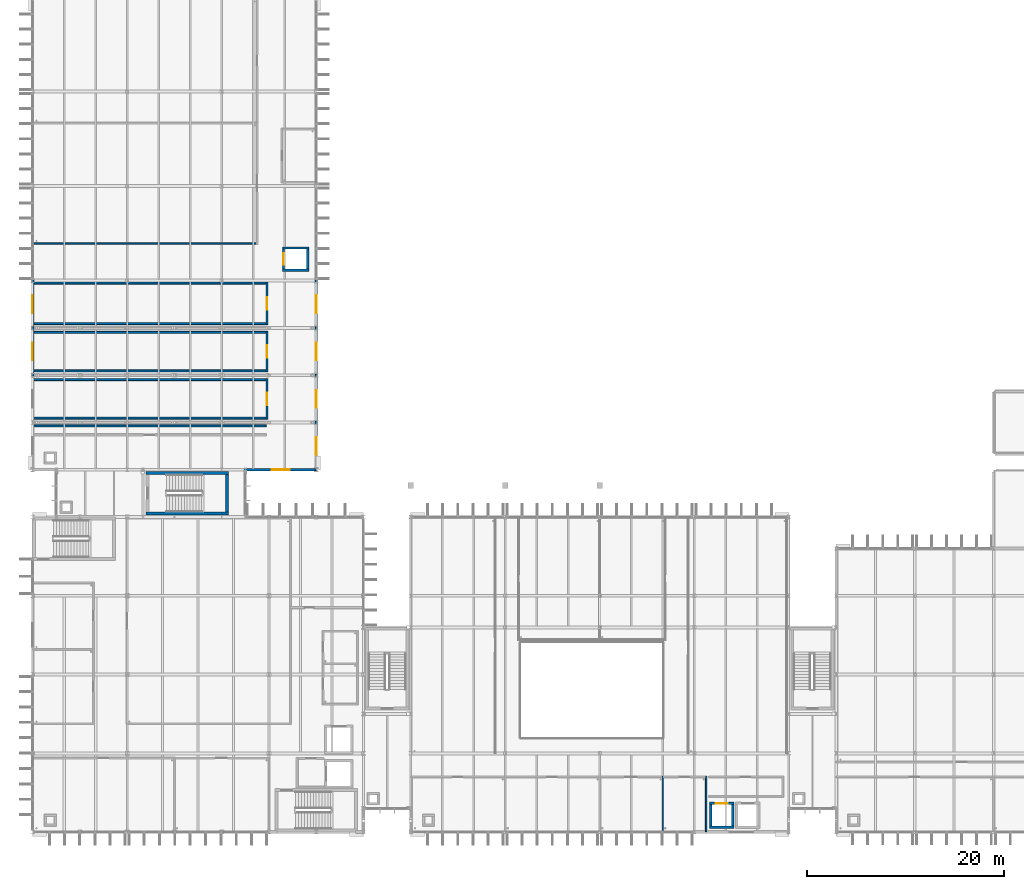
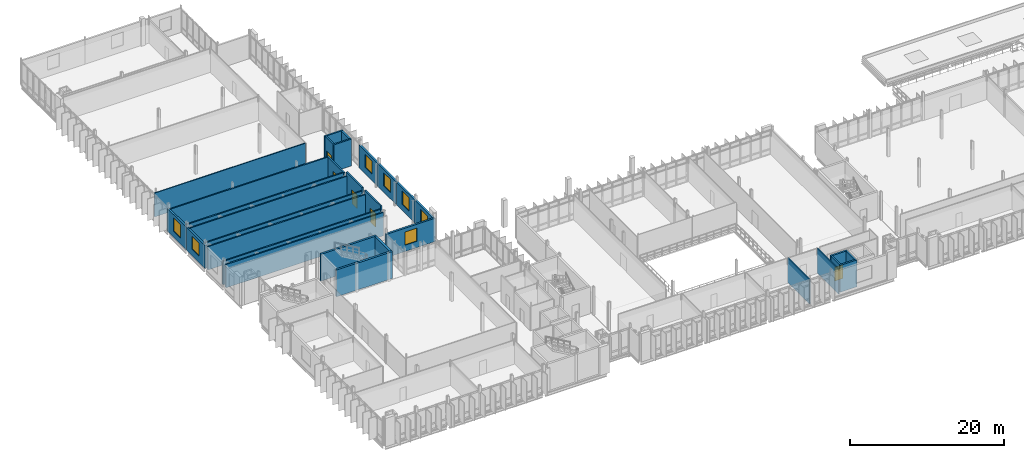
# One storey, part 63 of 110: 31 walls, 7 windows, 5 doors, 12 openings.
"""IFC4 building model written with IfcOpenShell, lengths in metres."""

from ifc_helpers import new_model, si_unit, direction, frame, frame_2d, origin, place, context, subcontext, project, spatial, rectangle, extrude, material, layer, layer_set, type_object, element, fill, save


model = new_model("IFC4")

# Units and contexts
model_context = context("Model", 3, precision=1e-05, world=origin(), true_north=direction((0.0, 1.0)))
body_context = subcontext(model_context, "Body", "Model", "MODEL_VIEW")
ifc_project = project(units=[si_unit("LENGTHUNIT", "METRE"), si_unit("AREAUNIT", "SQUARE_METRE"), si_unit("VOLUMEUNIT", "CUBIC_METRE"), si_unit("PLANEANGLEUNIT", "RADIAN"), si_unit("MASSUNIT", "GRAM", prefix="KILO")], contexts=[model_context])

# Site, building, storey
site_placement = place(None, origin())
site = spatial("IfcSite", under=ifc_project, at=site_placement, CompositionType="ELEMENT")
building_placement = place(site_placement, origin())
building = spatial("IfcBuilding", under=site, at=building_placement, Name="Dunescarp Central Library", CompositionType="ELEMENT")
storey_placement = place(building_placement, frame((0.0, 0.0, 9.60009765625)))
storey = spatial("IfcBuildingStorey", under=building, at=storey_placement, Name="L02", CompositionType="ELEMENT", Elevation=9.60009765625)

# Walls
ifc_material_1 = material(Name="Gypsum plasterboard acoustic partition")
ifc_layer_1 = layer(ifc_material_1, 0.14990234375)
ifc_layer_set_1 = layer_set([ifc_layer_1], Name="Gypsum plasterboard acoustic partition")
wall_type_1 = type_object("IfcWallType", Name="ARC-PT-AC150", PredefinedType="PARTITIONING", material=ifc_layer_set_1)
wall_1_placement = place(storey_placement, frame((0.0400390625, 64.60009765625, 0.0), z_axis=(0.0, 0.0, 1.0), x_axis=(1.0, 0.0, 0.0)))
element("IfcWall", 1, at=wall_1_placement, inside=storey, type_object=wall_type_1, Name="L02 partition PT-L02-0362", PredefinedType="PARTITIONING", context=body_context, shape_type="SweptSolid", body=[
    extrude(rectangle(XDim=22.68505859375, YDim=0.14990234375, at=frame_2d((11.342529296875, 0.0))), origin(), (0.0, 0.0, 1.0), 3.781982421875),
])
ifc_material_2 = material(Name="Concrete C35/45", Category="concrete")
ifc_layer_2 = layer(ifc_material_2, 0.199951171875)
ifc_layer_set_2 = layer_set([ifc_layer_2], Name="Concrete C35/45")
wall_type_2 = type_object("IfcWallType", Name="ARC-PT-FIRE200", PredefinedType="PARTITIONING", material=ifc_layer_set_2)
for number, where, z_axis, x_axis, name in (
    (2, (0.0400390625, 46.050048828125, 0.0), (0.0, 0.0, 1.0), (1.0, 0.0, 0.0), "L02 partition PT-L02-0352"),
    (3, (0.0400390625, 46.85009765625, 0.0), (0.0, 0.0, 1.0), (1.0, 0.0, 0.0), "L02 partition PT-L02-0353"),
    (4, (0.0400390625, 50.75, 0.0), (0.0, 0.0, 1.0), (1.0, 0.0, 0.0), "L02 partition PT-L02-0354"),
):
    element("IfcWall", number, at=place(storey_placement, frame(where, z_axis=z_axis, x_axis=x_axis)), inside=storey, type_object=wall_type_2, Name=name, PredefinedType="PARTITIONING", context=body_context, shape_type="SweptSolid", body=[
        extrude(rectangle(XDim=23.659912109375, YDim=0.199951171875, at=frame_2d((11.830078125, 0.0))), origin(), (0.0, 0.0, 1.0), 3.701904296875),
    ])

# Wall, opening, door
wall_2_placement = place(storey_placement, frame((23.800048828125, 46.75, 0.0), z_axis=(0.0, 0.0, 1.0), x_axis=(0.0, 1.0, 0.0)))
wall_2 = element("IfcWall", 5, at=wall_2_placement, inside=storey, type_object=wall_type_2, Name="L02 partition PT-L02-0355", PredefinedType="PARTITIONING", context=body_context, shape_type="SweptSolid", body=[
    extrude(rectangle(XDim=4.10009765625, YDim=0.199951171875, at=frame_2d((2.050048828125, 0.0))), origin(), (0.0, 0.0, 1.0), 4.260009765625),
])
opening_1_placement = place(wall_2_placement, frame((1.425048828125, 0.0, 0.0)))
opening_1 = element("IfcOpeningElement", 6, at=opening_1_placement, cuts=wall_2, Name="Opening DR-L02-0152", PredefinedType="OPENING", context=body_context, shape_type="SweptSolid", body=[
    extrude(rectangle(XDim=1.25, YDim=2.25, at=frame_2d((0.625, 1.125))), frame((0.0, 0.10986328125, 0.0), z_axis=(0.0, -1.0, 0.0), x_axis=(1.0, 0.0, 0.0)), (0.0, 0.0, 1.0), 0.219970703125),
])
ifc_material_3 = material(Name="Galvanised steel FD120S", Category="steel")
door_type_1 = type_object("IfcDoorType", Name="ARC-DR-VAULT1200", OperationType="NOTDEFINED", PredefinedType="DOOR", material=ifc_material_3)
door_1_placement = place(opening_1_placement, origin())
door_1 = element("IfcDoor", 7, at=door_1_placement, inside=storey, type_object=door_type_1, Name="L02 interior door DR-L02-0152", OperationType="SINGLE_SWING_LEFT", OverallHeight=2.25, OverallWidth=1.25, PredefinedType="DOOR", context=body_context, shape_type="SweptSolid", body=[
    extrude(rectangle(XDim=1.25, YDim=2.25, at=frame_2d((0.625, 1.125))), frame((0.0, 0.02490234375, 0.0), z_axis=(0.0, -1.0, 0.0), x_axis=(1.0, 0.0, 0.0)), (0.0, 0.0, 1.0), 0.050048828125),
])
fill(opening_1, door_1)

# Walls
for number, where, z_axis, x_axis, name in (
    (8, (0.0400390625, 51.64990234375, 0.0), (0.0, 0.0, 1.0), (1.0, 0.0, 0.0), "L02 partition PT-L02-0356"),
    (9, (0.0400390625, 55.550048828125, 0.0), (0.0, 0.0, 1.0), (1.0, 0.0, 0.0), "L02 partition PT-L02-0357"),
):
    element("IfcWall", number, at=place(storey_placement, frame(where, z_axis=z_axis, x_axis=x_axis)), inside=storey, type_object=wall_type_2, Name=name, PredefinedType="PARTITIONING", context=body_context, shape_type="SweptSolid", body=[
        extrude(rectangle(XDim=23.659912109375, YDim=0.199951171875, at=frame_2d((11.830078125, 0.0))), origin(), (0.0, 0.0, 1.0), 3.701904296875),
    ])

# Wall, opening, door
wall_3_placement = place(storey_placement, frame((23.800048828125, 51.550048828125, 0.0), z_axis=(0.0, 0.0, 1.0), x_axis=(0.0, 1.0, 0.0)))
wall_3 = element("IfcWall", 10, at=wall_3_placement, inside=storey, type_object=wall_type_2, Name="L02 partition PT-L02-0358", PredefinedType="PARTITIONING", context=body_context, shape_type="SweptSolid", body=[
    extrude(rectangle(XDim=4.099853515625, YDim=0.199951171875, at=frame_2d((2.0498046875, 0.0))), origin(), (0.0, 0.0, 1.0), 4.260009765625),
])
opening_2_placement = place(wall_3_placement, frame((1.425048828125, 0.0, 0.0)))
opening_2 = element("IfcOpeningElement", 11, at=opening_2_placement, cuts=wall_3, Name="Opening DR-L02-0153", PredefinedType="OPENING", context=body_context, shape_type="SweptSolid", body=[
    extrude(rectangle(XDim=1.25, YDim=2.25, at=frame_2d((0.625, 1.125))), frame((0.0, 0.10986328125, 0.0), z_axis=(0.0, -1.0, 0.0), x_axis=(1.0, 0.0, 0.0)), (0.0, 0.0, 1.0), 0.219970703125),
])
door_2_placement = place(opening_2_placement, origin())
door_2 = element("IfcDoor", 12, at=door_2_placement, inside=storey, type_object=door_type_1, Name="L02 interior door DR-L02-0153", OperationType="SINGLE_SWING_RIGHT", OverallHeight=2.25, OverallWidth=1.25, PredefinedType="DOOR", context=body_context, shape_type="SweptSolid", body=[
    extrude(rectangle(XDim=1.25, YDim=2.25, at=frame_2d((0.625, 1.125))), frame((0.0, 0.02490234375, 0.0), z_axis=(0.0, -1.0, 0.0), x_axis=(1.0, 0.0, 0.0)), (0.0, 0.0, 1.0), 0.050048828125),
])
fill(opening_2, door_2)

# Walls
for number, where, z_axis, x_axis, name in (
    (13, (0.0400390625, 56.449951171875, 0.0), (0.0, 0.0, 1.0), (1.0, 0.0, 0.0), "L02 partition PT-L02-0359"),
    (14, (0.0400390625, 60.550048828125, 0.0), (0.0, 0.0, 1.0), (1.0, 0.0, 0.0), "L02 partition PT-L02-0360"),
):
    element("IfcWall", number, at=place(storey_placement, frame(where, z_axis=z_axis, x_axis=x_axis)), inside=storey, type_object=wall_type_2, Name=name, PredefinedType="PARTITIONING", context=body_context, shape_type="SweptSolid", body=[
        extrude(rectangle(XDim=23.659912109375, YDim=0.199951171875, at=frame_2d((11.830078125, 0.0))), origin(), (0.0, 0.0, 1.0), 3.701904296875),
    ])

# Wall, opening, door
wall_4_placement = place(storey_placement, frame((23.800048828125, 56.35009765625, 0.0), z_axis=(0.0, 0.0, 1.0), x_axis=(0.0, 1.0, 0.0)))
wall_4 = element("IfcWall", 15, at=wall_4_placement, inside=storey, type_object=wall_type_2, Name="L02 partition PT-L02-0361", PredefinedType="PARTITIONING", context=body_context, shape_type="SweptSolid", body=[
    extrude(rectangle(XDim=4.2998046875, YDim=0.199951171875, at=frame_2d((2.14990234375, 0.0))), origin(), (0.0, 0.0, 1.0), 3.73486328125),
])
opening_3_placement = place(wall_4_placement, frame((1.52490234375, 0.0, 0.0)))
opening_3 = element("IfcOpeningElement", 16, at=opening_3_placement, cuts=wall_4, Name="Opening DR-L02-0154", PredefinedType="OPENING", context=body_context, shape_type="SweptSolid", body=[
    extrude(rectangle(XDim=1.25, YDim=2.25, at=frame_2d((0.625, 1.125))), frame((0.0, 0.10986328125, 0.0), z_axis=(0.0, -1.0, 0.0), x_axis=(1.0, 0.0, 0.0)), (0.0, 0.0, 1.0), 0.219970703125),
])
door_3_placement = place(opening_3_placement, origin())
door_3 = element("IfcDoor", 17, at=door_3_placement, inside=storey, type_object=door_type_1, Name="L02 interior door DR-L02-0154", OperationType="SINGLE_SWING_LEFT", OverallHeight=2.25, OverallWidth=1.25, PredefinedType="DOOR", context=body_context, shape_type="SweptSolid", body=[
    extrude(rectangle(XDim=1.25, YDim=2.25, at=frame_2d((0.625, 1.125))), frame((0.0, 0.02490234375, 0.0), z_axis=(0.0, -1.0, 0.0), x_axis=(1.0, 0.0, 0.0)), (0.0, 0.0, 1.0), 0.050048828125),
])
fill(opening_3, door_3)

# Walls
ifc_material_4 = material(Name="Autoclaved aerated concrete block", Category="concrete")
ifc_layer_3 = layer(ifc_material_4, 0.139892578125)
ifc_layer_set_3 = layer_set([ifc_layer_3], Name="Autoclaved aerated concrete block")
wall_type_3 = type_object("IfcWallType", Name="ARC-PT-WET140", PredefinedType="PARTITIONING", material=ifc_layer_set_3)
for number, where, z_axis, x_axis, name in (
    (18, (64.0, 4.840087890625, 0.0), (0.0, 0.0, 1.0), (0.0, 1.0, 0.0), "L02 partition PT-L02-0180"),
    (19, (68.39990234375, 4.840087890625, 0.0), (0.0, 0.0, 1.0), (0.0, 1.0, 0.0), "L02 partition PT-L02-0181"),
):
    element("IfcWall", number, at=place(storey_placement, frame(where, z_axis=z_axis, x_axis=x_axis)), inside=storey, type_object=wall_type_3, Name=name, PredefinedType="PARTITIONING", context=body_context, shape_type="SweptSolid", body=[
        extrude(rectangle(XDim=5.6298828125, YDim=0.139892578125, at=frame_2d((2.81494140625, 0.0))), origin(), (0.0, 0.0, 1.0), 3.9248046875),
    ])

# Wall, opening, window
ifc_material_5 = material(Name="Glass-fibre reinforced concrete GRC", Category="concrete")
ifc_layer_4 = layer(ifc_material_5, 0.280029296875)
ifc_layer_set_4 = layer_set([ifc_layer_4], Name="Glass-fibre reinforced concrete GRC")
wall_type_4 = type_object("IfcWallType", Name="ARC-WL-GRC280", PredefinedType="SOLIDWALL", material=ifc_layer_set_4)
wall_5_placement = place(storey_placement, frame((28.885009765625, 41.60009765625, 0.0), z_axis=(0.0, 0.0, 1.0), x_axis=(-1.0, 0.0, 0.0)))
wall_5 = element("IfcWall", 20, at=wall_5_placement, inside=storey, type_object=wall_type_4, Name="L02 external wall EW-V4-127", PredefinedType="SOLIDWALL", context=body_context, shape_type="SweptSolid", body=[
    extrude(rectangle(XDim=7.3701171875, YDim=0.280029296875, at=frame_2d((3.68505859375, 0.0))), origin(), (0.0, 0.0, 1.0), 3.701904296875),
])
opening_4_placement = place(wall_5_placement, frame((2.784912109375, 0.0, 1.0)))
opening_4 = element("IfcOpeningElement", 21, at=opening_4_placement, cuts=wall_5, Name="Opening WN-V4S-L02", PredefinedType="OPENING", context=body_context, shape_type="SweptSolid", body=[
    extrude(rectangle(XDim=1.800048828125, YDim=2.10009765625, at=frame_2d((0.89990234375, 1.050048828125))), frame((0.0, 0.14990234375, 0.0), z_axis=(0.0, -1.0, 0.0), x_axis=(1.0, 0.0, 0.0)), (0.0, 0.0, 1.0), 0.300048828125),
])
ifc_material_6 = material(Name="Solar-control laminated double glazing", Category="glass")
window_type = type_object("IfcWindowType", Name="ARC-WN-1800X2100", PartitioningType="SINGLE_PANEL", PredefinedType="WINDOW", material=ifc_material_6)
window_1_placement = place(opening_4_placement, origin())
window_1 = element("IfcWindow", 22, at=window_1_placement, inside=storey, type_object=window_type, Name="L02 window WN-V4S-L02", OverallHeight=2.10009765625, OverallWidth=1.800048828125, PartitioningType="SINGLE_PANEL", PredefinedType="WINDOW", context=body_context, shape_type="SweptSolid", body=[
    extrude(rectangle(XDim=1.800048828125, YDim=2.10009765625, at=frame_2d((0.89990234375, 1.050048828125))), frame((0.0, 0.030029296875, 0.0), z_axis=(0.0, -1.0, 0.0), x_axis=(1.0, 0.0, 0.0)), (0.0, 0.0, 1.0), 0.06005859375),
])
fill(opening_4, window_1)

wall_6_placement = place(storey_placement, frame((28.800048828125, 46.485107421875, 0.0), z_axis=(0.0, 0.0, 1.0), x_axis=(0.0, -1.0, 0.0)))
wall_6 = element("IfcWall", 23, at=wall_6_placement, inside=storey, type_object=wall_type_4, Name="L02 external wall EW-V4-129", PredefinedType="SOLIDWALL", context=body_context, shape_type="SweptSolid", body=[
    extrude(rectangle(XDim=4.97021484375, YDim=0.280029296875, at=frame_2d((2.485107421875, 0.0))), origin(), (0.0, 0.0, 1.0), 3.635009765625),
])
opening_5_placement = place(wall_6_placement, frame((1.5849609375, 0.0, 1.0)))
opening_5 = element("IfcOpeningElement", 24, at=opening_5_placement, cuts=wall_6, Name="Opening WN-031", PredefinedType="OPENING", context=body_context, shape_type="SweptSolid", body=[
    extrude(rectangle(XDim=1.800048828125, YDim=2.10009765625, at=frame_2d((0.89990234375, 1.050048828125))), frame((0.0, 0.14990234375, 0.0), z_axis=(0.0, -1.0, 0.0), x_axis=(1.0, 0.0, 0.0)), (0.0, 0.0, 1.0), 0.300048828125),
])
window_2_placement = place(opening_5_placement, origin())
window_2 = element("IfcWindow", 25, at=window_2_placement, inside=storey, type_object=window_type, Name="L02 window WN-031", OverallHeight=2.10009765625, OverallWidth=1.800048828125, PartitioningType="SINGLE_PANEL", PredefinedType="WINDOW", context=body_context, shape_type="SweptSolid", body=[
    extrude(rectangle(XDim=1.800048828125, YDim=2.10009765625, at=frame_2d((0.89990234375, 1.050048828125))), frame((0.0, 0.030029296875, 0.0), z_axis=(0.0, -1.0, 0.0), x_axis=(1.0, 0.0, 0.0)), (0.0, 0.0, 1.0), 0.06005859375),
])
fill(opening_5, window_2)

wall_7_placement = place(storey_placement, frame((28.800048828125, 51.284912109375, 0.0), z_axis=(0.0, 0.0, 1.0), x_axis=(0.0, -1.0, 0.0)))
wall_7 = element("IfcWall", 26, at=wall_7_placement, inside=storey, type_object=wall_type_4, Name="L02 external wall EW-V4-131", PredefinedType="SOLIDWALL", context=body_context, shape_type="SweptSolid", body=[
    extrude(rectangle(XDim=4.969970703125, YDim=0.280029296875, at=frame_2d((2.48486328125, 0.0))), origin(), (0.0, 0.0, 1.0), 3.635009765625),
])
opening_6_placement = place(wall_7_placement, frame((1.5849609375, 0.0, 1.0)))
opening_6 = element("IfcOpeningElement", 27, at=opening_6_placement, cuts=wall_7, Name="Opening WN-033", PredefinedType="OPENING", context=body_context, shape_type="SweptSolid", body=[
    extrude(rectangle(XDim=1.800048828125, YDim=2.10009765625, at=frame_2d((0.89990234375, 1.050048828125))), frame((0.0, 0.14990234375, 0.0), z_axis=(0.0, -1.0, 0.0), x_axis=(1.0, 0.0, 0.0)), (0.0, 0.0, 1.0), 0.300048828125),
])
window_3_placement = place(opening_6_placement, origin())
window_3 = element("IfcWindow", 28, at=window_3_placement, inside=storey, type_object=window_type, Name="L02 window WN-033", OverallHeight=2.10009765625, OverallWidth=1.800048828125, PartitioningType="SINGLE_PANEL", PredefinedType="WINDOW", context=body_context, shape_type="SweptSolid", body=[
    extrude(rectangle(XDim=1.800048828125, YDim=2.10009765625, at=frame_2d((0.89990234375, 1.050048828125))), frame((0.0, 0.030029296875, 0.0), z_axis=(0.0, -1.0, 0.0), x_axis=(1.0, 0.0, 0.0)), (0.0, 0.0, 1.0), 0.06005859375),
])
fill(opening_6, window_3)

wall_8_placement = place(storey_placement, frame((0.0, 51.114990234375, 0.0), z_axis=(0.0, 0.0, 1.0), x_axis=(0.0, 1.0, 0.0)))
wall_8 = element("IfcWall", 29, at=wall_8_placement, inside=storey, type_object=wall_type_4, Name="L02 external wall EW-V4-132", PredefinedType="SOLIDWALL", context=body_context, shape_type="SweptSolid", body=[
    extrude(rectangle(XDim=4.969970703125, YDim=0.280029296875, at=frame_2d((2.48486328125, 0.0))), origin(), (0.0, 0.0, 1.0), 3.635009765625),
])
opening_7_placement = place(wall_8_placement, frame((1.5849609375, 0.0, 1.0)))
opening_7 = element("IfcOpeningElement", 30, at=opening_7_placement, cuts=wall_8, Name="Opening WN-034", PredefinedType="OPENING", context=body_context, shape_type="SweptSolid", body=[
    extrude(rectangle(XDim=1.800048828125, YDim=2.10009765625, at=frame_2d((0.89990234375, 1.050048828125))), frame((0.0, 0.14990234375, 0.0), z_axis=(0.0, -1.0, 0.0), x_axis=(1.0, 0.0, 0.0)), (0.0, 0.0, 1.0), 0.300048828125),
])
window_4_placement = place(opening_7_placement, origin())
window_4 = element("IfcWindow", 31, at=window_4_placement, inside=storey, type_object=window_type, Name="L02 window WN-034", OverallHeight=2.10009765625, OverallWidth=1.800048828125, PartitioningType="SINGLE_PANEL", PredefinedType="WINDOW", context=body_context, shape_type="SweptSolid", body=[
    extrude(rectangle(XDim=1.800048828125, YDim=2.10009765625, at=frame_2d((0.89990234375, 1.050048828125))), frame((0.0, 0.030029296875, 0.0), z_axis=(0.0, -1.0, 0.0), x_axis=(1.0, 0.0, 0.0)), (0.0, 0.0, 1.0), 0.06005859375),
])
fill(opening_7, window_4)

wall_9_placement = place(storey_placement, frame((28.800048828125, 56.0849609375, 0.0), z_axis=(0.0, 0.0, 1.0), x_axis=(0.0, -1.0, 0.0)))
wall_9 = element("IfcWall", 32, at=wall_9_placement, inside=storey, type_object=wall_type_4, Name="L02 external wall EW-V4-133", PredefinedType="SOLIDWALL", context=body_context, shape_type="SweptSolid", body=[
    extrude(rectangle(XDim=4.969970703125, YDim=0.280029296875, at=frame_2d((2.48486328125, 0.0))), origin(), (0.0, 0.0, 1.0), 3.635009765625),
])
opening_8_placement = place(wall_9_placement, frame((1.5849609375, 0.0, 1.0)))
opening_8 = element("IfcOpeningElement", 33, at=opening_8_placement, cuts=wall_9, Name="Opening WN-035", PredefinedType="OPENING", context=body_context, shape_type="SweptSolid", body=[
    extrude(rectangle(XDim=1.800048828125, YDim=2.10009765625, at=frame_2d((0.89990234375, 1.050048828125))), frame((0.0, 0.14990234375, 0.0), z_axis=(0.0, -1.0, 0.0), x_axis=(1.0, 0.0, 0.0)), (0.0, 0.0, 1.0), 0.300048828125),
])
window_5_placement = place(opening_8_placement, origin())
window_5 = element("IfcWindow", 34, at=window_5_placement, inside=storey, type_object=window_type, Name="L02 window WN-035", OverallHeight=2.10009765625, OverallWidth=1.800048828125, PartitioningType="SINGLE_PANEL", PredefinedType="WINDOW", context=body_context, shape_type="SweptSolid", body=[
    extrude(rectangle(XDim=1.800048828125, YDim=2.10009765625, at=frame_2d((0.89990234375, 1.050048828125))), frame((0.0, 0.030029296875, 0.0), z_axis=(0.0, -1.0, 0.0), x_axis=(1.0, 0.0, 0.0)), (0.0, 0.0, 1.0), 0.06005859375),
])
fill(opening_8, window_5)

wall_10_placement = place(storey_placement, frame((0.0, 55.9150390625, 0.0), z_axis=(0.0, 0.0, 1.0), x_axis=(0.0, 1.0, 0.0)))
wall_10 = element("IfcWall", 35, at=wall_10_placement, inside=storey, type_object=wall_type_4, Name="L02 external wall EW-V4-134", PredefinedType="SOLIDWALL", context=body_context, shape_type="SweptSolid", body=[
    extrude(rectangle(XDim=4.969970703125, YDim=0.280029296875, at=frame_2d((2.48486328125, 0.0))), origin(), (0.0, 0.0, 1.0), 3.635009765625),
])
opening_9_placement = place(wall_10_placement, frame((1.5849609375, 0.0, 1.0)))
opening_9 = element("IfcOpeningElement", 36, at=opening_9_placement, cuts=wall_10, Name="Opening WN-036", PredefinedType="OPENING", context=body_context, shape_type="SweptSolid", body=[
    extrude(rectangle(XDim=1.800048828125, YDim=2.10009765625, at=frame_2d((0.89990234375, 1.050048828125))), frame((0.0, 0.14990234375, 0.0), z_axis=(0.0, -1.0, 0.0), x_axis=(1.0, 0.0, 0.0)), (0.0, 0.0, 1.0), 0.300048828125),
])
window_6_placement = place(opening_9_placement, origin())
window_6 = element("IfcWindow", 37, at=window_6_placement, inside=storey, type_object=window_type, Name="L02 window WN-036", OverallHeight=2.10009765625, OverallWidth=1.800048828125, PartitioningType="SINGLE_PANEL", PredefinedType="WINDOW", context=body_context, shape_type="SweptSolid", body=[
    extrude(rectangle(XDim=1.800048828125, YDim=2.10009765625, at=frame_2d((0.89990234375, 1.050048828125))), frame((0.0, 0.030029296875, 0.0), z_axis=(0.0, -1.0, 0.0), x_axis=(1.0, 0.0, 0.0)), (0.0, 0.0, 1.0), 0.06005859375),
])
fill(opening_9, window_6)

wall_11_placement = place(storey_placement, frame((28.800048828125, 60.885009765625, 0.0), z_axis=(0.0, 0.0, 1.0), x_axis=(0.0, -1.0, 0.0)))
wall_11 = element("IfcWall", 38, at=wall_11_placement, inside=storey, type_object=wall_type_4, Name="L02 external wall EW-V4-135", PredefinedType="SOLIDWALL", context=body_context, shape_type="SweptSolid", body=[
    extrude(rectangle(XDim=4.969970703125, YDim=0.280029296875, at=frame_2d((2.48486328125, 0.0))), origin(), (0.0, 0.0, 1.0), 3.635009765625),
])
opening_10_placement = place(wall_11_placement, frame((1.5849609375, 0.0, 1.0)))
opening_10 = element("IfcOpeningElement", 39, at=opening_10_placement, cuts=wall_11, Name="Opening WN-037", PredefinedType="OPENING", context=body_context, shape_type="SweptSolid", body=[
    extrude(rectangle(XDim=1.800048828125, YDim=2.10009765625, at=frame_2d((0.89990234375, 1.050048828125))), frame((0.0, 0.14990234375, 0.0), z_axis=(0.0, -1.0, 0.0), x_axis=(1.0, 0.0, 0.0)), (0.0, 0.0, 1.0), 0.300048828125),
])
window_7_placement = place(opening_10_placement, origin())
window_7 = element("IfcWindow", 40, at=window_7_placement, inside=storey, type_object=window_type, Name="L02 window WN-037", OverallHeight=2.10009765625, OverallWidth=1.800048828125, PartitioningType="SINGLE_PANEL", PredefinedType="WINDOW", context=body_context, shape_type="SweptSolid", body=[
    extrude(rectangle(XDim=1.800048828125, YDim=2.10009765625, at=frame_2d((0.89990234375, 1.050048828125))), frame((0.0, 0.030029296875, 0.0), z_axis=(0.0, -1.0, 0.0), x_axis=(1.0, 0.0, 0.0)), (0.0, 0.0, 1.0), 0.06005859375),
])
fill(opening_10, window_7)

# Wall
ifc_material_7 = material(Name="Concrete C40/50", Category="concrete")
ifc_layer_5 = layer(ifc_material_7, 0.25)
ifc_layer_set_5 = layer_set([ifc_layer_5], Name="Concrete C40/50")
wall_type_5 = type_object("IfcWallType", Name="STR-WL-CORE250", PredefinedType="SHEAR", material=ifc_layer_set_5)
wall_12_placement = place(storey_placement, frame((71.25, 5.27490234375, 0.0), z_axis=(0.0, 0.0, 1.0), x_axis=(-1.0, 0.0, 0.0)))
element("IfcWall", 41, at=wall_12_placement, inside=storey, type_object=wall_type_5, Name="L02 PL-1 lift shaft wall S", PredefinedType="SHEAR", context=body_context, shape_type="SweptSolid", body=[
    extrude(rectangle(XDim=2.5, YDim=0.25, at=frame_2d((1.25, 0.0))), origin(), (0.0, 0.0, 1.0), 4.260009765625),
])

# Wall, opening, door
wall_13_placement = place(storey_placement, frame((68.75, 7.72509765625, 0.0), z_axis=(0.0, 0.0, 1.0), x_axis=(1.0, 0.0, 0.0)))
wall_13 = element("IfcWall", 42, at=wall_13_placement, inside=storey, type_object=wall_type_5, Name="L02 PL-1 lift shaft wall N", PredefinedType="SHEAR", context=body_context, shape_type="SweptSolid", body=[
    extrude(rectangle(XDim=2.5, YDim=0.25, at=frame_2d((1.25, 0.0))), origin(), (0.0, 0.0, 1.0), 4.260009765625),
])
opening_11_placement = place(wall_13_placement, frame((0.64990234375, 0.0, 0.0)))
opening_11 = element("IfcOpeningElement", 43, at=opening_11_placement, cuts=wall_13, Name="Opening LD-PL-1-L02", PredefinedType="OPENING", context=body_context, shape_type="SweptSolid", body=[
    extrude(rectangle(XDim=1.199951171875, YDim=2.199951171875, at=frame_2d((0.60009765625, 1.10009765625))), frame((0.0, 0.135009765625, 0.0), z_axis=(0.0, -1.0, 0.0), x_axis=(1.0, 0.0, 0.0)), (0.0, 0.0, 1.0), 0.27001953125),
])
ifc_material_8 = material(Name="Stainless steel Grade 316L", Category="steel")
door_type_2 = type_object("IfcDoorType", Name="ARC-DR-LD1200", OperationType="DOUBLE_DOOR_SLIDING", PredefinedType="DOOR", material=ifc_material_8)
door_4_placement = place(opening_11_placement, origin())
door_4 = element("IfcDoor", 44, at=door_4_placement, inside=storey, type_object=door_type_2, Name="L02 PL-1 lift landing door", OperationType="DOUBLE_DOOR_SLIDING", OverallHeight=2.199951171875, OverallWidth=1.199951171875, PredefinedType="DOOR", context=body_context, shape_type="SweptSolid", body=[
    extrude(rectangle(XDim=1.199951171875, YDim=2.199951171875, at=frame_2d((0.60009765625, 1.10009765625))), frame((0.0, 0.02490234375, 0.0), z_axis=(0.0, -1.0, 0.0), x_axis=(1.0, 0.0, 0.0)), (0.0, 0.0, 1.0), 0.050048828125),
])
fill(opening_11, door_4)

# Walls
for number, where, z_axis, x_axis, name in (
    (45, (68.875, 5.39990234375, 0.0), (0.0, 0.0, 1.0), (0.0, 1.0, 0.0), "L02 PL-1 lift shaft wall W"),
    (46, (71.125, 7.60009765625, 0.0), (0.0, 0.0, 1.0), (0.0, -1.0, 0.0), "L02 PL-1 lift shaft wall E"),
):
    element("IfcWall", number, at=place(storey_placement, frame(where, z_axis=z_axis, x_axis=x_axis)), inside=storey, type_object=wall_type_5, Name=name, PredefinedType="SHEAR", context=body_context, shape_type="SweptSolid", body=[
        extrude(rectangle(XDim=2.2001953125, YDim=0.25, at=frame_2d((1.10009765625, 0.0))), origin(), (0.0, 0.0, 1.0), 4.260009765625),
    ])
for number, where, z_axis, x_axis, name in (
    (47, (28.050048828125, 61.875, 0.0), (0.0, 0.0, 1.0), (-1.0, 0.0, 0.0), "L02 PL-4 lift shaft wall S"),
    (48, (25.35009765625, 64.125, 0.0), (0.0, 0.0, 1.0), (1.0, 0.0, 0.0), "L02 PL-4 lift shaft wall N"),
):
    element("IfcWall", number, at=place(storey_placement, frame(where, z_axis=z_axis, x_axis=x_axis)), inside=storey, type_object=wall_type_5, Name=name, PredefinedType="SHEAR", context=body_context, shape_type="SweptSolid", body=[
        extrude(rectangle(XDim=2.699951171875, YDim=0.25, at=frame_2d((1.35009765625, 0.0))), origin(), (0.0, 0.0, 1.0), 4.260009765625),
    ])

# Wall, opening, door
wall_14_placement = place(storey_placement, frame((25.47509765625, 62.0, 0.0), z_axis=(0.0, 0.0, 1.0), x_axis=(0.0, 1.0, 0.0)))
wall_14 = element("IfcWall", 49, at=wall_14_placement, inside=storey, type_object=wall_type_5, Name="L02 PL-4 lift shaft wall W", PredefinedType="SHEAR", context=body_context, shape_type="SweptSolid", body=[
    extrude(rectangle(XDim=2.0, YDim=0.25, at=frame_2d((1.0, 0.0))), origin(), (0.0, 0.0, 1.0), 4.260009765625),
])
opening_12_placement = place(wall_14_placement, frame((0.39990234375, 0.0, 0.0)))
opening_12 = element("IfcOpeningElement", 50, at=opening_12_placement, cuts=wall_14, Name="Opening LD-PL-4-L02", PredefinedType="OPENING", context=body_context, shape_type="SweptSolid", body=[
    extrude(rectangle(XDim=1.199951171875, YDim=2.199951171875, at=frame_2d((0.60009765625, 1.10009765625))), frame((0.0, 0.135009765625, 0.0), z_axis=(0.0, -1.0, 0.0), x_axis=(1.0, 0.0, 0.0)), (0.0, 0.0, 1.0), 0.27001953125),
])
door_5_placement = place(opening_12_placement, origin())
door_5 = element("IfcDoor", 51, at=door_5_placement, inside=storey, type_object=door_type_2, Name="L02 PL-4 lift landing door", OperationType="DOUBLE_DOOR_SLIDING", OverallHeight=2.199951171875, OverallWidth=1.199951171875, PredefinedType="DOOR", context=body_context, shape_type="SweptSolid", body=[
    extrude(rectangle(XDim=1.199951171875, YDim=2.199951171875, at=frame_2d((0.60009765625, 1.10009765625))), frame((0.0, 0.02490234375, 0.0), z_axis=(0.0, -1.0, 0.0), x_axis=(1.0, 0.0, 0.0)), (0.0, 0.0, 1.0), 0.050048828125),
])
fill(opening_12, door_5)

# Walls
wall_15_placement = place(storey_placement, frame((27.925048828125, 64.0, 0.0), z_axis=(0.0, 0.0, 1.0), x_axis=(0.0, -1.0, 0.0)))
element("IfcWall", 52, at=wall_15_placement, inside=storey, type_object=wall_type_5, Name="L02 PL-4 lift shaft wall E", PredefinedType="SHEAR", context=body_context, shape_type="SweptSolid", body=[
    extrude(rectangle(XDim=2.0, YDim=0.25, at=frame_2d((1.0, 0.0))), origin(), (0.0, 0.0, 1.0), 4.260009765625),
])
ifc_layer_6 = layer(ifc_material_7, 0.300048828125)
ifc_layer_set_6 = layer_set([ifc_layer_6], Name="Concrete C40/50")
wall_type_6 = type_object("IfcWallType", Name="STR-WL-CORE300", PredefinedType="SHEAR", material=ifc_layer_set_6)
for number, where, z_axis, x_axis, name in (
    (53, (19.89990234375, 37.14990234375, 0.0), (0.0, 0.0, 1.0), (-1.0, 0.0, 0.0), "L02 ST-4 south core wall"),
    (54, (11.5, 41.25, 0.0), (0.0, 0.0, 1.0), (1.0, 0.0, 0.0), "L02 ST-4 north core wall"),
):
    element("IfcWall", number, at=place(storey_placement, frame(where, z_axis=z_axis, x_axis=x_axis)), inside=storey, type_object=wall_type_6, Name=name, PredefinedType="SHEAR", context=body_context, shape_type="SweptSolid", body=[
        extrude(rectangle(XDim=8.39990234375, YDim=0.300048828125, at=frame_2d((4.199951171875, 0.0))), origin(), (0.0, 0.0, 1.0), 4.260009765625),
    ])
wall_16_placement = place(storey_placement, frame((19.75, 41.10009765625, 0.0), z_axis=(0.0, 0.0, 1.0), x_axis=(0.0, -1.0, 0.0)))
element("IfcWall", 55, at=wall_16_placement, inside=storey, type_object=wall_type_6, Name="L02 ST-4 east core wall", PredefinedType="SHEAR", context=body_context, shape_type="SweptSolid", body=[
    extrude(rectangle(XDim=3.800048828125, YDim=0.300048828125, at=frame_2d((1.89990234375, 0.0))), origin(), (0.0, 0.0, 1.0), 4.260009765625),
])

save(model, "model.ifc")
